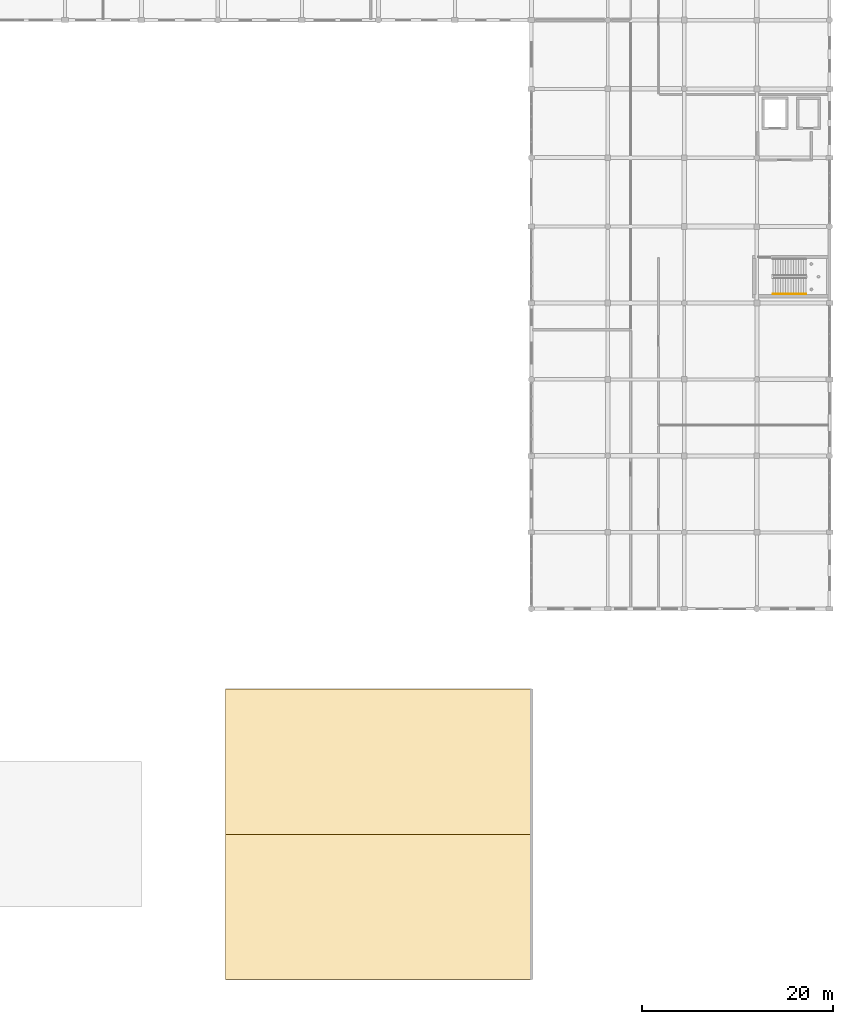
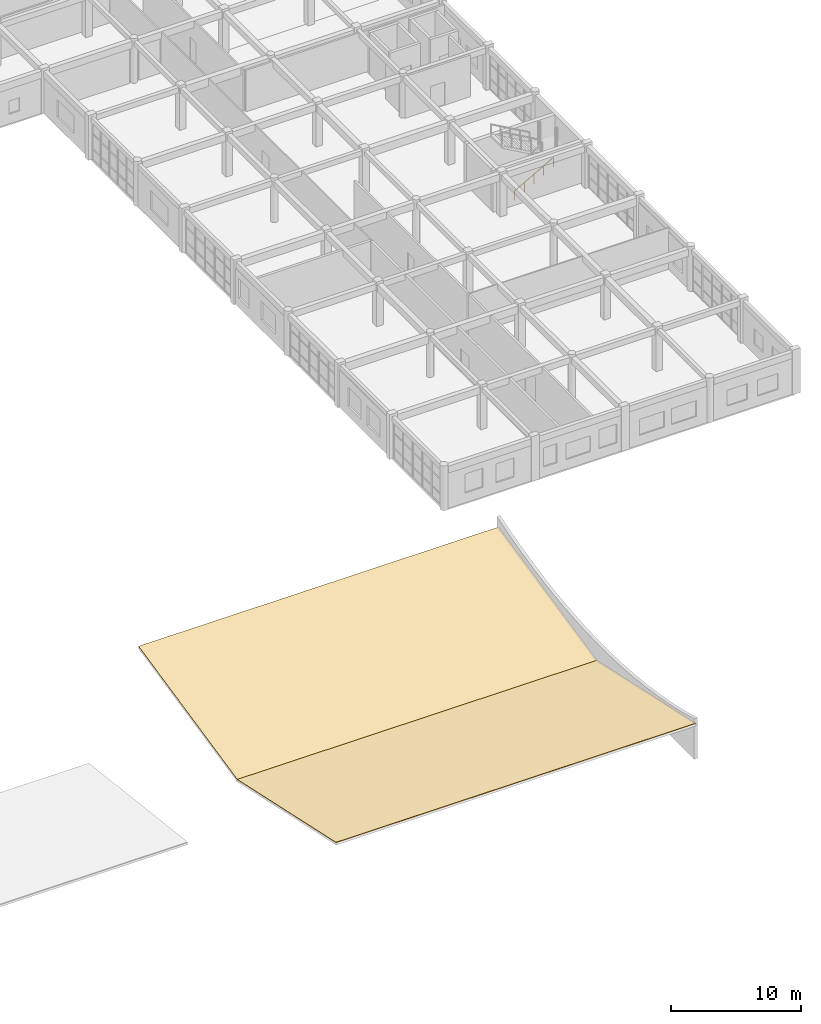
# One storey, part 51 of 53: 2 coverings, 1 railing.
"""IFC4 building model written with IfcOpenShell, lengths in metres."""

from ifc_helpers import new_model, si_unit, direction, frame, origin, origin_2d, place, context, subcontext, project, spatial, polyline, circle, outline, extrude, material, layer, layer_set, type_object, element, save


model = new_model("IFC4")

# Units and contexts
model_context = context("Model", 3, precision=1e-05, world=origin(), true_north=direction((0.0, 1.0)))
body_context = subcontext(model_context, "Body", "Model", "MODEL_VIEW")
ifc_project = project(units=[si_unit("LENGTHUNIT", "METRE"), si_unit("AREAUNIT", "SQUARE_METRE"), si_unit("VOLUMEUNIT", "CUBIC_METRE"), si_unit("PLANEANGLEUNIT", "RADIAN"), si_unit("MASSUNIT", "GRAM", prefix="KILO")], contexts=[model_context])

# Site, building, storey
site_placement = place(None, origin())
site = spatial("IfcSite", under=ifc_project, at=site_placement, CompositionType="ELEMENT")
building_placement = place(site_placement, origin())
building = spatial("IfcBuilding", under=site, at=building_placement, Name="Kharva Crest Polytechnic", CompositionType="ELEMENT")
storey_placement = place(building_placement, frame((0.0, 0.0, 17.39990234375)))
storey = spatial("IfcBuildingStorey", under=building, at=storey_placement, Name="L04", CompositionType="ELEMENT", Elevation=17.39990234375)

# Coverings
ifc_material_1 = material(Name="Anodised aluminium", Category="aluminium")
ifc_layer = layer(ifc_material_1, 0.044921875, Name="Anodised aluminium")
ifc_layer_set = layer_set([ifc_layer], Name="Anodised aluminium")
covering_type = type_object("IfcCoveringType", Name="COV-ROOF-MEMBRANE", PredefinedType="ROOFING", material=ifc_layer_set)
for number, where, z_axis, x_axis, name in (
    (1, (120.800048828125, 0.0, 3.34521484375), (0.0, 0.21216637008, 0.977233560316), (1.0, 0.0, 0.0), "L04 Standing-Seam Roof Covering 13"),
    (2, (120.800048828125, 15.199951171875, 0.045166015625), (0.0, -0.21216637008, 0.977233560316), (1.0, 0.0, 0.0), "L04 Standing-Seam Roof Covering 14"),
):
    element("IfcCovering", number, at=place(storey_placement, frame(where, z_axis=z_axis, x_axis=x_axis)), inside=storey, type_object=covering_type, Name=name, PredefinedType="ROOFING", context=body_context, shape_type="SweptSolid", body=[
        extrude(outline(polyline([(0.0, 0.0), (32.0, 0.0), (32.0, 15.554061781264512), (0.0, 15.554061781264512), (0.0, 0.0)])), origin(), (0.0, 0.0, -1.0), 0.044921875),
    ])

# Railing
ifc_material_2 = material(Name="Teak timber", Category="wood")
railing_type = type_object("IfcRailingType", Name="RL-STAIR-HAND-900", PredefinedType="HANDRAIL", material=ifc_material_2)
railing_placement = place(storey_placement, frame((178.090087890625, 71.719970703125, 0.150146484375)))
element("IfcRailing", 3, at=railing_placement, inside=storey, type_object=railing_type, Name="L04 ST-05 stair handrail 1", PredefinedType="HANDRAIL", context=body_context, shape_type="SweptSolid", body=[
    extrude(circle(Radius=0.02392578125, at=origin_2d()), frame((0.0, 0.0, 0.8759765625), z_axis=(0.870251367514, 0.0, 0.492607914411), x_axis=(0.0, 1.0, 0.0)), (0.0, 0.0, 1.0), 3.95849609375),
    extrude(circle(Radius=0.02099609375, at=origin_2d()), origin(), (0.0, 0.0, 1.0), 0.851806640625),
    extrude(circle(Radius=0.02099609375, at=origin_2d()), frame((0.861328125, 0.0, 0.487548828125)), (0.0, 0.0, 1.0), 0.851806640625),
    extrude(circle(Radius=0.02099609375, at=origin_2d()), frame((1.722412109375, 0.0, 0.97509765625)), (0.0, 0.0, 1.0), 0.851806640625),
    extrude(circle(Radius=0.02099609375, at=origin_2d()), frame((2.58349609375, 0.0, 1.46240234375)), (0.0, 0.0, 1.0), 0.851806640625),
    extrude(circle(Radius=0.02099609375, at=origin_2d()), frame((3.44482421875, 0.0, 1.949951171875)), (0.0, 0.0, 1.0), 0.851806640625),
])

save(model, "model.ifc")
